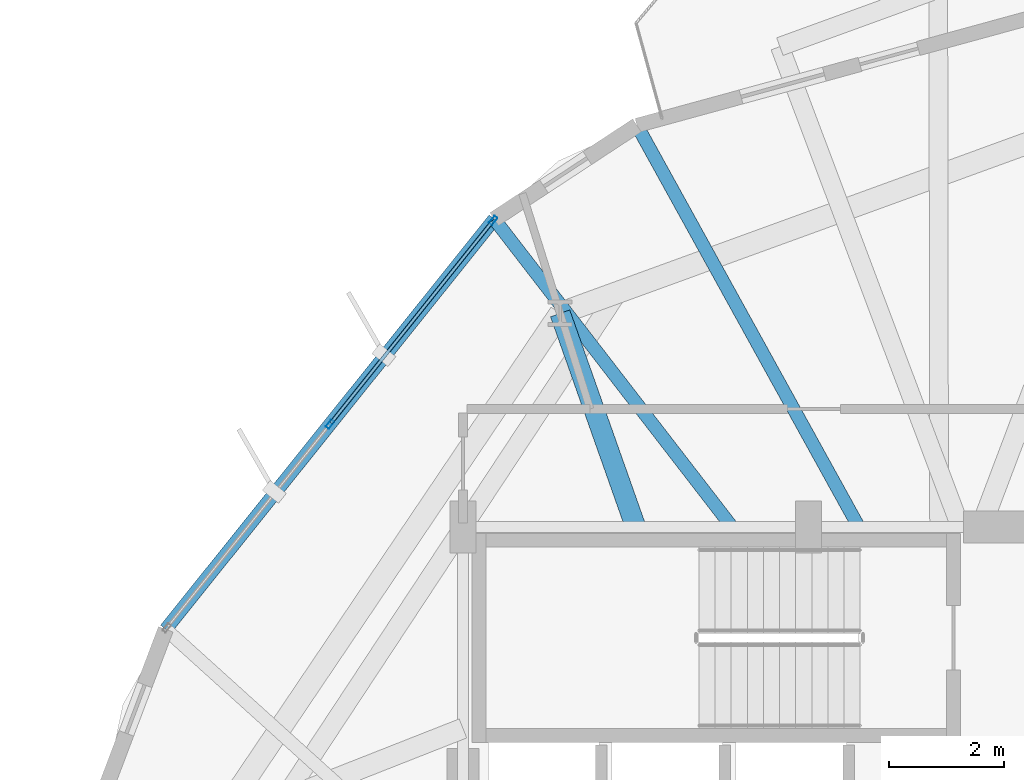
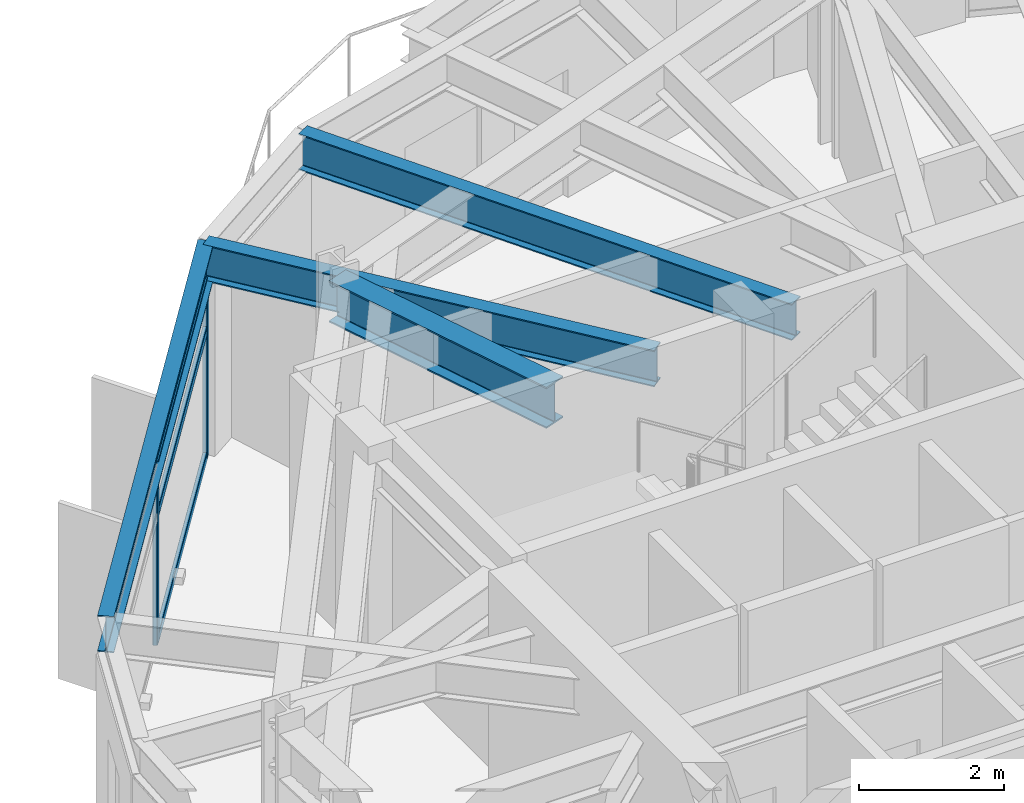
# One storey, part 15 of 25: 5 members, 4 beams, 1 element without a shape of its own.
"""IFC4 building model written with IfcOpenShell, lengths in metres."""

from ifc_helpers import new_model, si_unit, direction, frame, origin, origin_2d, place, context, subcontext, project, spatial, hollow_rectangle, i_section, extrude, material, layer, layer_set, material_profile, profile_set, type_object, element, aggregate, save


model = new_model("IFC4")

# Units and contexts
model_context = context("Model", 3, precision=1e-05, world=origin(), true_north=direction((0.0, 1.0)))
body_context = subcontext(model_context, "Body", "Model", "MODEL_VIEW")
ifc_project = project(units=[si_unit("LENGTHUNIT", "METRE"), si_unit("AREAUNIT", "SQUARE_METRE"), si_unit("VOLUMEUNIT", "CUBIC_METRE"), si_unit("PLANEANGLEUNIT", "RADIAN"), si_unit("MASSUNIT", "GRAM", prefix="KILO")], contexts=[model_context])

# Site, building, storey
site_placement = place(None, origin())
site = spatial("IfcSite", under=ifc_project, at=site_placement, CompositionType="ELEMENT")
building_placement = place(site_placement, origin())
building = spatial("IfcBuilding", under=site, at=building_placement, Name="Soratama Intermodal Tower", CompositionType="ELEMENT")
storey_placement = place(building_placement, frame((0.0, 0.0, 87.39990234375)))
storey = spatial("IfcBuildingStorey", under=building, at=storey_placement, Name="L20", CompositionType="ELEMENT", Elevation=87.39990234375)

# Beams
ifc_material_1 = material(Name="Structural steel ASTM A992 Grade 50", Category="steel")
ifc_material_profile_1 = material_profile(ifc_material_1, i_section(OverallWidth=0.35498046875, OverallDepth=0.695068359375, WebThickness=0.015380859375, FlangeThickness=0.02490234375, FilletRadius=0.01611328125, at=origin_2d()), Name="W27X146")
ifc_profile_set_1 = profile_set([ifc_material_profile_1], Name="Structural steel ASTM A992 Grade 50")
beam_type_1 = type_object("IfcBeamType", Name="BM-RING-W27X146", PredefinedType="BEAM", material=ifc_profile_set_1)
beam_1_placement = place(storey_placement, frame((35.60009765625, 35.0, 3.252685546875), z_axis=(-0.333332697239, 0.942809266475, 0.0), x_axis=(-0.942809266475, -0.333332697239, 0.0)))
element("IfcBeam", 1, at=beam_1_placement, inside=storey, type_object=beam_type_1, Name="BM-L20-RAD-04", PredefinedType="BEAM", context=body_context, shape_type="SweptSolid", body=[
    extrude(i_section(OverallWidth=0.35498046875, OverallDepth=0.695068359375, WebThickness=0.015380859375, FlangeThickness=0.02490234375, FilletRadius=0.01611328125, at=origin_2d()), origin(), (0.0, 0.0, 1.0), 3.93603515625),
])
ifc_material_2 = material(Name="Structural steel ASTM A992 Grade 50", Category="steel")
ifc_material_profile_2 = material_profile(ifc_material_2, i_section(OverallWidth=0.22900390625, OverallDepth=0.612060546875, WebThickness=0.011962890625, FlangeThickness=0.01953125, FilletRadius=0.012939453125, at=origin_2d()), Name="W24X84")
ifc_profile_set_2 = profile_set([ifc_material_profile_2], Name="Structural steel ASTM A992 Grade 50")
beam_type_2 = type_object("IfcBeamType", Name="BM-SPN-W24X84", PredefinedType="SPANDREL", material=ifc_profile_set_2)
beam_2_placement = place(storey_placement, frame((33.14404296875, 40.347900390625, 3.294189453125), z_axis=(-0.625229742547, -0.780440753058, 0.0), x_axis=(0.780440753058, -0.625229742547, 0.0)))
element("IfcBeam", 2, at=beam_2_placement, inside=storey, type_object=beam_type_2, Name="BS-L20-F04", PredefinedType="SPANDREL", context=body_context, shape_type="SweptSolid", body=[
    extrude(i_section(OverallWidth=0.22900390625, OverallDepth=0.612060546875, WebThickness=0.011962890625, FlangeThickness=0.01953125, FilletRadius=0.012939453125, at=origin_2d()), origin(), (0.0, 0.0, 1.0), 9.12939453125),
])
ifc_material_3 = material(Name="Structural steel ASTM A992 Grade 50", Category="steel")
ifc_material_profile_3 = material_profile(ifc_material_3, i_section(OverallWidth=0.22900390625, OverallDepth=0.612060546875, WebThickness=0.011962890625, FlangeThickness=0.01953125, FilletRadius=0.012939453125, at=origin_2d()), Name="W24X84")
ifc_profile_set_3 = profile_set([ifc_material_profile_3], Name="Structural steel ASTM A992 Grade 50")
beam_type_3 = type_object("IfcBeamType", Name="BM-TIE-W24X84", PredefinedType="BEAM", material=ifc_profile_set_3)
beam_3_placement = place(storey_placement, frame((39.45703125, 35.034912109375, 3.294189453125), z_axis=(-0.483500521279, 0.875344072878, 0.0), x_axis=(-0.875344072878, -0.483500521279, 0.0)))
element("IfcBeam", 3, at=beam_3_placement, inside=storey, type_object=beam_type_3, Name="BM-L20-TIE1-03", PredefinedType="BEAM", context=body_context, shape_type="SweptSolid", body=[
    extrude(i_section(OverallWidth=0.22900390625, OverallDepth=0.612060546875, WebThickness=0.011962890625, FlangeThickness=0.01953125, FilletRadius=0.012939453125, at=origin_2d()), origin(), (0.0, 0.0, 1.0), 7.9296875),
])
beam_4_placement = place(storey_placement, frame((37.25, 35.031982421875, 3.294189453125), z_axis=(-0.611279906674, 0.791414477816, 0.0), x_axis=(-0.791414477816, -0.611279906674, 0.0)))
element("IfcBeam", 4, at=beam_4_placement, inside=storey, type_object=beam_type_3, Name="BM-L20-TIE0-04", PredefinedType="BEAM", context=body_context, shape_type="SweptSolid", body=[
    extrude(i_section(OverallWidth=0.22900390625, OverallDepth=0.612060546875, WebThickness=0.011962890625, FlangeThickness=0.01953125, FilletRadius=0.012939453125, at=origin_2d()), origin(), (0.0, 0.0, 1.0), 6.717041015625),
])

# Curtain wall, members
ifc_material_4 = material(Name="Double-glazed aluminium curtain wall", Category="aluminium")
ifc_layer = layer(ifc_material_4, 0.159912109375)
ifc_layer_set = layer_set([ifc_layer], Name="Double-glazed aluminium curtain wall")
curtain_wall_type = type_object("IfcCurtainWallType", Name="CW-SYS-3", PredefinedType="NOTDEFINED", material=ifc_layer_set)
curtain_wall_placement = place(storey_placement, origin())
curtain_wall = element("IfcCurtainWall", 5, at=curtain_wall_placement, inside=storey, type_object=curtain_wall_type, Name="L20 Faceted Curtain Wall F04", PredefinedType="NOTDEFINED")
ifc_material_5 = material(Name="Anodised aluminium AA 6063-T6", Category="aluminium")
ifc_material_profile_4 = material_profile(ifc_material_5, hollow_rectangle(XDim=0.070068359375, YDim=0.159912109375, WallThickness=0.0048828125, InnerFilletRadius=0.0048828125, OuterFilletRadius=0.010009765625, at=origin_2d()), Name="CWM160X70X5")
ifc_profile_set_4 = profile_set([ifc_material_profile_4], Name="Anodised aluminium AA 6063-T6")
member_type_1 = type_object("IfcMemberType", Name="MT-CWM-3", PredefinedType="MULLION", material=ifc_profile_set_4)
member_1_placement = place(storey_placement, frame((33.125, 40.32421875, 0.0), z_axis=(0.0, 0.0, 1.0), x_axis=(0.780431543802, -0.625241237795, 0.0)))
member_1 = element("IfcMember", 6, at=member_1_placement, type_object=member_type_1, Name="CW-3 mullion 1", PredefinedType="MULLION", context=body_context, shape_type="SweptSolid", body=[
    extrude(hollow_rectangle(XDim=0.070068359375, YDim=0.159912109375, WallThickness=0.0048828125, InnerFilletRadius=0.0048828125, OuterFilletRadius=0.010009765625, at=origin_2d()), origin(), (0.0, 0.0, 1.0), 2.97900390625),
])
member_2_placement = place(storey_placement, frame((30.289794921875, 36.78515625, 0.0), z_axis=(0.0, 0.0, 1.0), x_axis=(0.780431543802, -0.625241237795, 0.0)))
member_2 = element("IfcMember", 7, at=member_2_placement, type_object=member_type_1, Name="CW-3 mullion 2", PredefinedType="MULLION", context=body_context, shape_type="SweptSolid", body=[
    extrude(hollow_rectangle(XDim=0.070068359375, YDim=0.159912109375, WallThickness=0.0048828125, InnerFilletRadius=0.0048828125, OuterFilletRadius=0.010009765625, at=origin_2d()), origin(), (0.0, 0.0, 1.0), 2.97900390625),
])
ifc_material_6 = material(Name="Anodised aluminium AA 6063-T6", Category="aluminium")
ifc_material_profile_5 = material_profile(ifc_material_6, hollow_rectangle(XDim=0.06494140625, YDim=0.14990234375, WallThickness=0.0048828125, InnerFilletRadius=0.0048828125, OuterFilletRadius=0.010009765625, at=origin_2d()), Name="CWT150X65X5")
ifc_profile_set_5 = profile_set([ifc_material_profile_5], Name="Anodised aluminium AA 6063-T6")
member_type_2 = type_object("IfcMemberType", Name="TT-CWT-1", PredefinedType="USERDEFINED", material=ifc_profile_set_5)
member_3_placement = place(storey_placement, frame((33.106201171875, 40.30078125, 0.030029296875), z_axis=(-0.625220559768, -0.780448109514, 0.0), x_axis=(0.780448109514, -0.625220559768, 0.0)))
member_3 = element("IfcMember", 8, at=member_3_placement, type_object=member_type_2, Name="CW-3 transom 1.1", ObjectType="TRANSOM", PredefinedType="USERDEFINED", context=body_context, shape_type="SweptSolid", body=[
    extrude(hollow_rectangle(XDim=0.06494140625, YDim=0.14990234375, WallThickness=0.0048828125, InnerFilletRadius=0.0048828125, OuterFilletRadius=0.010009765625, at=origin_2d()), origin(), (0.0, 0.0, 1.0), 4.474609375),
])
member_4_placement = place(storey_placement, frame((33.106201171875, 40.30078125, 2.150146484375), z_axis=(-0.625220559768, -0.780448109514, 0.0), x_axis=(0.780448109514, -0.625220559768, 0.0)))
member_4 = element("IfcMember", 9, at=member_4_placement, type_object=member_type_2, Name="CW-3 transom 1.2", ObjectType="TRANSOM", PredefinedType="USERDEFINED", context=body_context, shape_type="SweptSolid", body=[
    extrude(hollow_rectangle(XDim=0.06494140625, YDim=0.14990234375, WallThickness=0.0048828125, InnerFilletRadius=0.0048828125, OuterFilletRadius=0.010009765625, at=origin_2d()), origin(), (0.0, 0.0, 1.0), 4.474609375),
])
member_5_placement = place(storey_placement, frame((33.106201171875, 40.30078125, 2.94921875), z_axis=(-0.625220559768, -0.780448109514, 0.0), x_axis=(0.780448109514, -0.625220559768, 0.0)))
member_5 = element("IfcMember", 10, at=member_5_placement, type_object=member_type_2, Name="CW-3 transom 1.3", ObjectType="TRANSOM", PredefinedType="USERDEFINED", context=body_context, shape_type="SweptSolid", body=[
    extrude(hollow_rectangle(XDim=0.06494140625, YDim=0.14990234375, WallThickness=0.0048828125, InnerFilletRadius=0.0048828125, OuterFilletRadius=0.010009765625, at=origin_2d()), origin(), (0.0, 0.0, 1.0), 4.474609375),
])
aggregate(curtain_wall, [member_1, member_2, member_3, member_4, member_5])

save(model, "model.ifc")
